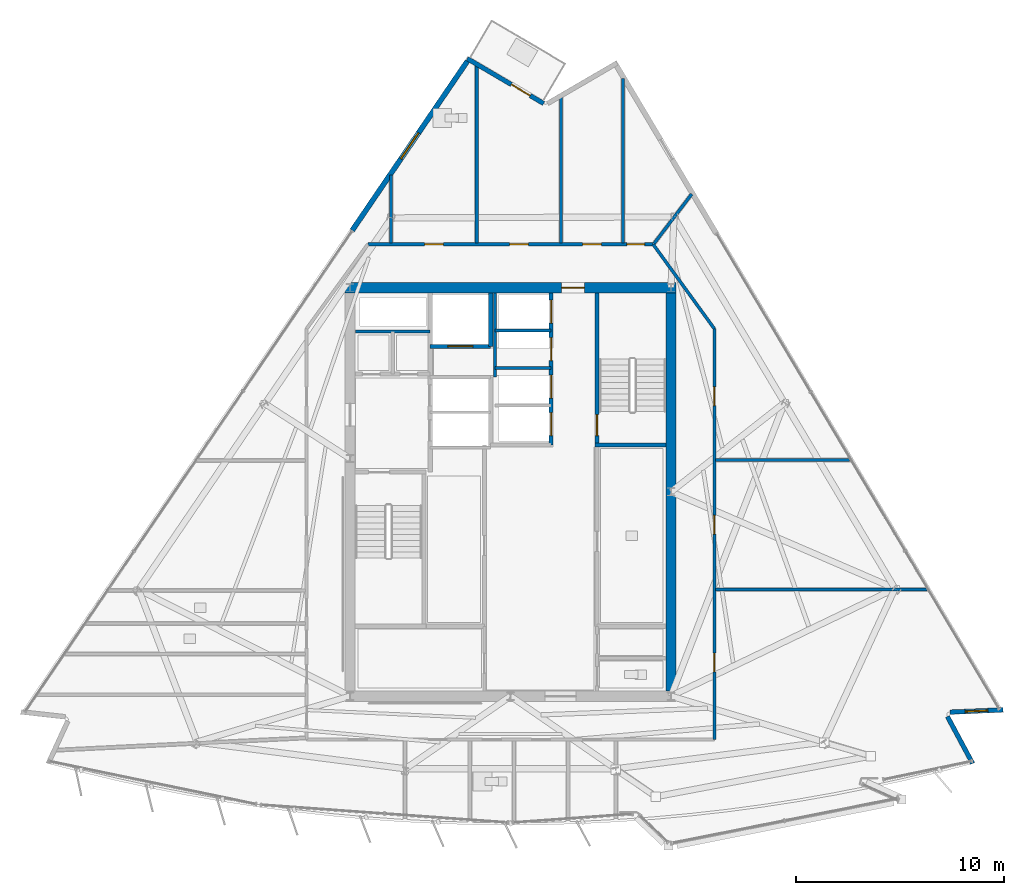
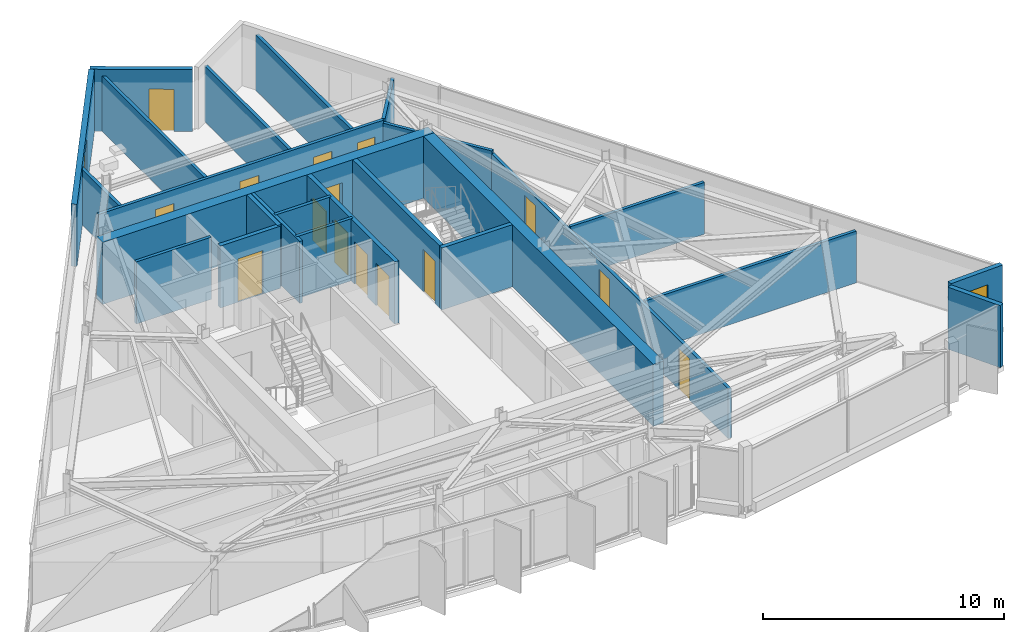
# One storey, part 8 of 13: 25 walls, 15 doors, 2 windows, 17 openings.
"""IFC4 building model written with IfcOpenShell, lengths in metres."""

import ifcopenshell
import ifcopenshell.guid

model = None  # the IFC model being written
_history = None  # IfcOwnerHistory: only IFC2X3 demands one
_inside = {}  # id of a spatial element -> (the spatial element, [elements in it])
_under = {}  # id of a project, library or spatial element -> (it, [spatial elements below it])
_declared = {}  # id of a project -> (the project, [libraries it declares])
_typed = {}  # id of a type object -> (the type object, [elements of that type])
_made_of = {}  # id of a material, layer set ... -> (it, [elements and type objects made of it])


def new_model(schema):
    """Start an empty IFC model of exactly this schema.

    Asked for "IFC4X3", IfcOpenShell would pick the latest addendum, in which some entities
    have other attributes; the version numbers below select the first issue.
    IFC2X3 requires an IfcOwnerHistory on every rooted entity: one is made here for all.
    """
    global model, _history
    if schema == "IFC4X3":
        model = ifcopenshell.file(schema_version=(4, 3, 0, 0))
    else:
        model = ifcopenshell.file(schema=schema)
    _inside.clear()
    _under.clear()
    _declared.clear()
    _typed.clear()
    _made_of.clear()
    _history = None
    if model.schema == "IFC2X3":
        org = make("IfcOrganization", Name="unknown")
        user = make(
            "IfcPersonAndOrganization",
            ThePerson=make("IfcPerson", FamilyName="unknown"),
            TheOrganization=org,
        )
        app = make(
            "IfcApplication",
            ApplicationDeveloper=org,
            Version="unknown",
            ApplicationFullName="unknown",
            ApplicationIdentifier="unknown",
        )
        _history = make(
            "IfcOwnerHistory",
            OwningUser=user,
            OwningApplication=app,
            ChangeAction="ADDED",
            CreationDate=0,
        )
    return model


def make(cls, **values):
    """One entity of the class cls with the attributes given. An attribute that is None is left unset."""
    return model.create_entity(
        cls, **{name: value for name, value in values.items() if value is not None}
    )


def rooted(cls, **values):
    """An entity with a GlobalId (a new one), such as an element, a storey or a relation."""
    return make(cls, GlobalId=ifcopenshell.guid.new(), OwnerHistory=_history, **values)


def si_unit(unit_type, name, prefix=None):
    """IfcSIUnit, for example si_unit("LENGTHUNIT", "METRE", prefix="MILLI")."""
    return make("IfcSIUnit", UnitType=unit_type, Prefix=prefix, Name=name)


def assignment(units):
    """IfcUnitAssignment: the units of a project."""
    return None if units is None else make("IfcUnitAssignment", Units=units)


def point(xyz):
    """IfcCartesianPoint."""
    return None if xyz is None else make("IfcCartesianPoint", Coordinates=xyz)


def direction(xyz):
    """IfcDirection."""
    return None if xyz is None else make("IfcDirection", DirectionRatios=xyz)


def frame(location, z_axis=None, x_axis=None):
    """IfcAxis2Placement3D, a coordinate frame: its origin and axes. An axis left out is left unset."""
    return make(
        "IfcAxis2Placement3D",
        Location=point(location),
        Axis=direction(z_axis),
        RefDirection=direction(x_axis),
    )


def frame_2d(location, x_axis=None):
    """IfcAxis2Placement2D, a coordinate frame in the plane: its origin and x axis."""
    return make(
        "IfcAxis2Placement2D", Location=point(location), RefDirection=direction(x_axis)
    )


def origin():
    """The frame at (0, 0, 0) with its axes left unset."""
    return frame((0.0, 0.0, 0.0))


def place(relative_to, where):
    """IfcLocalPlacement: puts the frame where relative to a parent placement (None: the world)."""
    return make(
        "IfcLocalPlacement", PlacementRelTo=relative_to, RelativePlacement=where
    )


def context(
    kind, dimensions, precision=None, world=None, true_north=None, identifier=None
):
    """IfcGeometricRepresentationContext, for example the 3D "Model" context."""
    return make(
        "IfcGeometricRepresentationContext",
        ContextIdentifier=identifier,
        ContextType=kind,
        CoordinateSpaceDimension=dimensions,
        Precision=precision,
        WorldCoordinateSystem=world,
        TrueNorth=true_north,
    )


def subcontext(parent, identifier, kind, view, scale=None):
    """IfcGeometricRepresentationSubContext, for example "Body" below "Model"."""
    return make(
        "IfcGeometricRepresentationSubContext",
        ContextIdentifier=identifier,
        ContextType=kind,
        ParentContext=parent,
        TargetScale=scale,
        TargetView=view,
    )


def project(units=None, contexts=None):
    """IfcProject with its units and contexts."""
    return rooted(
        "IfcProject",
        Name="project",
        RepresentationContexts=contexts,
        UnitsInContext=assignment(units),
    )


def spatial(cls, under=None, at=None, **own):
    """A site, building, storey or space (cls), placed at a placement, below another one or the project."""
    s = rooted(cls, ObjectPlacement=at, **own)
    if under is not None:
        _under.setdefault(under.id(), (under, []))[1].append(s)
    return s


def profile(cls, at=None, kind="AREA", **sizes):
    """A parametric profile (cls). Its sizes go by their IFC names, for example OverallWidth=200.0."""
    return make(cls, ProfileType=kind, Position=at, **sizes)


def rectangle(**sizes):
    """IfcRectangleProfileDef."""
    return profile("IfcRectangleProfileDef", **sizes)


def extrude(swept, where, along, depth):
    """IfcExtrudedAreaSolid: the profile swept, set in the frame where, extruded along a direction by depth."""
    return make(
        "IfcExtrudedAreaSolid",
        SweptArea=swept,
        Position=where,
        ExtrudedDirection=direction(along),
        Depth=depth,
    )


def shape(context_of_items, identifier, shape_type, items):
    """IfcShapeRepresentation: the items that make up one representation, for example the "Body"."""
    return make(
        "IfcShapeRepresentation",
        ContextOfItems=context_of_items,
        RepresentationIdentifier=identifier,
        RepresentationType=shape_type,
        Items=items,
    )


def material(Name=None, Category=None):
    """IfcMaterial."""
    return make("IfcMaterial", Name=Name, Category=Category)


def layer(
    of_material, thickness, ventilated=None, Name=None, Category=None, Priority=None
):
    """IfcMaterialLayer: one layer of a wall or slab, of a material (None: an air gap)."""
    return make(
        "IfcMaterialLayer",
        Material=of_material,
        LayerThickness=thickness,
        IsVentilated=ventilated,
        Name=Name,
        Category=Category,
        Priority=Priority,
    )


def layer_set(layers, Name=None):
    """IfcMaterialLayerSet."""
    return make("IfcMaterialLayerSet", MaterialLayers=layers, LayerSetName=Name)


def made_of(thing, what):
    """Note that an element or type object is made of a material, layer set ...; save() writes the relation."""
    if what is not None:
        _made_of.setdefault(what.id(), (what, []))[1].append(thing)
    return thing


def type_object(cls, material=None, **own):
    """A type object (cls), such as IfcWallType, which elements share."""
    return made_of(rooted(cls, **own), material)


def element(
    cls,
    number,
    at=None,
    inside=None,
    cuts=None,
    type_object=None,
    material=None,
    context=None,
    identifier="Body",
    shape_type=None,
    held_by="IfcProductDefinitionShape",
    body=None,
    shapes=None,
    **own,
):
    """One element of the class cls, such as IfcWall. Its Tag is "e" and its number.

    at: its placement. inside: the storey or other place that contains it. cuts: it is an
    opening in that element (IfcRelVoidsElement). A single representation is given by context,
    identifier, shape_type and body (its items); several are given by shapes. held_by: the class
    of the entity that holds the representations. save() writes the other relations.
    """
    e = rooted(cls, Tag="e%d" % number, ObjectPlacement=at, **own)
    if body is not None:
        shapes = [shape(context, identifier, shape_type, body)]
    if shapes is not None:
        e.Representation = make(held_by, Representations=shapes)
    if inside is not None:
        _inside.setdefault(inside.id(), (inside, []))[1].append(e)
    if cuts is not None:
        rooted(
            "IfcRelVoidsElement", RelatingBuildingElement=cuts, RelatedOpeningElement=e
        )
    if type_object is not None:
        _typed.setdefault(type_object.id(), (type_object, []))[1].append(e)
    return made_of(e, material)


def fill(opening, filler):
    """IfcRelFillsElement: the door or window that sits in an opening."""
    return rooted(
        "IfcRelFillsElement",
        RelatingOpeningElement=opening,
        RelatedBuildingElement=filler,
    )


def aggregate(whole, parts):
    """IfcRelAggregates: a whole, such as a stair, and the parts it consists of."""
    return rooted("IfcRelAggregates", RelatingObject=whole, RelatedObjects=parts)


def save(model, path):
    """Write the relations noted so far, then the file.

    IfcRelAggregates (storeys below a building ...), IfcRelContainedInSpatialStructure (elements
    in a storey), IfcRelDefinesByType, IfcRelAssociatesMaterial and IfcRelDeclares: one each for
    every whole, place, type object, material and project.
    """
    for whole, parts in _under.values():
        aggregate(whole, parts)
    for where, things in _inside.values():
        rooted(
            "IfcRelContainedInSpatialStructure",
            RelatedElements=things,
            RelatingStructure=where,
        )
    for kind, things in _typed.values():
        rooted("IfcRelDefinesByType", RelatedObjects=things, RelatingType=kind)
    for what, things in _made_of.values():
        rooted("IfcRelAssociatesMaterial", RelatedObjects=things, RelatingMaterial=what)
    for by, libraries in _declared.values():
        rooted("IfcRelDeclares", RelatingContext=by, RelatedDefinitions=libraries)
    model.write(path)


model = new_model("IFC4")

# Units and contexts
model_context = context("Model", 3, precision=1e-05, world=origin(), true_north=direction((0.0, 1.0)))
body_context = subcontext(model_context, "Body", "Model", "MODEL_VIEW")
ifc_project = project(units=[si_unit("LENGTHUNIT", "METRE"), si_unit("AREAUNIT", "SQUARE_METRE"), si_unit("VOLUMEUNIT", "CUBIC_METRE"), si_unit("PLANEANGLEUNIT", "RADIAN"), si_unit("MASSUNIT", "GRAM", prefix="KILO")], contexts=[model_context])

# Site, building, storey
site_placement = place(None, origin())
site = spatial("IfcSite", under=ifc_project, at=site_placement, CompositionType="ELEMENT")
building_placement = place(site_placement, origin())
building = spatial("IfcBuilding", under=site, at=building_placement, Name="Savorim Split Tower", CompositionType="ELEMENT")
storey_placement = place(building_placement, frame((0.0, 0.0, 290.39990234375)))
storey = spatial("IfcBuildingStorey", under=building, at=storey_placement, Name="L77", CompositionType="ELEMENT", Elevation=290.39990234375)

# Wall, opening, door
ifc_material_1 = material(Name="Concrete C60/75", Category="concrete")
ifc_layer_1 = layer(ifc_material_1, 0.5)
ifc_layer_set_1 = layer_set([ifc_layer_1], Name="WAL-COR-SH500")
wall_type_1 = type_object("IfcWallType", Name="WAL-COR-SH500", PredefinedType="SHEAR", material=ifc_layer_set_1)
wall_1_placement = place(storey_placement, frame((7.949951171875, 10.199951171875, 0.0), z_axis=(0.0, 0.0, 1.0), x_axis=(-1.0, 0.0, 0.0)))
wall_1 = element("IfcWall", 1, at=wall_1_placement, inside=storey, type_object=wall_type_1, Name="L77 Offset Core North Shear Wall", PredefinedType="SHEAR", context=body_context, shape_type="SweptSolid", body=[
    extrude(rectangle(XDim=15.89990234375, YDim=0.5, at=frame_2d((7.949951171875, 0.0))), origin(), (0.0, 0.0, 1.0), 3.150146484375),
])
opening_1_placement = place(wall_1_placement, frame((4.39990234375, 0.0, 0.0)))
opening_1 = element("IfcOpeningElement", 2, at=opening_1_placement, cuts=wall_1, Name="Opening DI-03", PredefinedType="OPENING", context=body_context, shape_type="SweptSolid", body=[
    extrude(rectangle(XDim=1.10009765625, YDim=2.14990234375, at=frame_2d((0.550048828125, 1.074951171875))), frame((0.0, 0.260009765625, 0.0), z_axis=(0.0, -1.0, 0.0), x_axis=(1.0, 0.0, 0.0)), (0.0, 0.0, 1.0), 0.52001953125),
])
ifc_material_2 = material(Name="Timber Fire Door Leaf", Category="wood")
door_type_1 = type_object("IfcDoorType", Name="DOR-FIR-1100", OperationType="NOTDEFINED", PredefinedType="DOOR", material=ifc_material_2)
door_1_placement = place(opening_1_placement, origin())
door_1 = element("IfcDoor", 3, at=door_1_placement, inside=storey, type_object=door_type_1, Name="DOR-L77-COR-NLOB - L77 North Corridor Lobby Fire Door", OperationType="SINGLE_SWING_RIGHT", OverallHeight=2.14990234375, OverallWidth=1.10009765625, PredefinedType="DOOR", context=body_context, shape_type="SweptSolid", body=[
    extrude(rectangle(XDim=1.10009765625, YDim=2.14990234375, at=frame_2d((0.550048828125, 1.074951171875))), frame((0.0, 0.02490234375, 0.0), z_axis=(0.0, -1.0, 0.0), x_axis=(1.0, 0.0, 0.0)), (0.0, 0.0, 1.0), 0.050048828125),
])
fill(opening_1, door_1)

# Walls
wall_2_placement = place(storey_placement, frame((7.699951171875, 9.949951171875, 0.0), z_axis=(0.0, 0.0, 1.0), x_axis=(0.0, -1.0, 0.0)))
element("IfcWall", 4, at=wall_2_placement, inside=storey, type_object=wall_type_1, Name="L77 Offset Core East Shear Wall", PredefinedType="SHEAR", context=body_context, shape_type="SweptSolid", body=[
    extrude(rectangle(XDim=19.099853515625, YDim=0.5, at=frame_2d((9.5498046875, 0.0))), origin(), (0.0, 0.0, 1.0), 3.150146484375),
])
ifc_material_3 = material(Name="Precast concrete C40/50", Category="concrete")
ifc_layer_2 = layer(ifc_material_3, 0.219970703125)
ifc_layer_set_2 = layer_set([ifc_layer_2], Name="WAL-EXT-CRN220")
wall_type_2 = type_object("IfcWallType", Name="WAL-EXT-CRN220", PredefinedType="SOLIDWALL", material=ifc_layer_set_2)
wall_3_placement = place(storey_placement, frame((20.9638671875, -10.380615234375, 0.0), z_axis=(0.0, 0.0, 1.0), x_axis=(0.472728849632, -0.881207940685, 0.0)))
element("IfcWall", 5, at=wall_3_placement, inside=storey, type_object=wall_type_2, Name="L77 Notched Corner Facade Wall SE1", PredefinedType="SOLIDWALL", context=body_context, shape_type="SweptSolid", body=[
    extrude(rectangle(XDim=2.5498046875, YDim=0.219970703125, at=frame_2d((1.27490234375, 0.0))), origin(), (0.0, 0.0, 1.0), 3.150146484375),
])

# Wall, opening, window
wall_4_placement = place(storey_placement, frame((23.630615234375, -10.058837890625, 0.0), z_axis=(0.0, 0.0, 1.0), x_axis=(-0.999098350703, -0.042455690107, 0.0)))
wall_4 = element("IfcWall", 6, at=wall_4_placement, inside=storey, type_object=wall_type_2, Name="L77 Notched Corner Facade Wall SE", PredefinedType="SOLIDWALL", context=body_context, shape_type="SweptSolid", body=[
    extrude(rectangle(XDim=2.54736328125, YDim=0.219970703125, at=frame_2d((1.273681640625, 0.0))), origin(), (0.0, 0.0, 1.0), 3.150146484375),
])
opening_2_placement = place(wall_4_placement, frame((0.7236328125, 0.0, 0.6201171875)))
opening_2 = element("IfcOpeningElement", 7, at=opening_2_placement, cuts=wall_4, Name="Opening WN-09", PredefinedType="OPENING", context=body_context, shape_type="SweptSolid", body=[
    extrude(rectangle(XDim=1.10009765625, YDim=1.800048828125, at=frame_2d((0.550048828125, 0.89990234375))), frame((0.0, 0.119873046875, 0.0), z_axis=(0.0, -1.0, 0.0), x_axis=(1.0, 0.0, 0.0)), (0.0, 0.0, 1.0), 0.239990234375),
])
ifc_material_4 = material(Name="Low-E Operable Double Glazing", Category="glass")
window_type_1 = type_object("IfcWindowType", Name="WIN-TWR-1100x1800", PartitioningType="SINGLE_PANEL", PredefinedType="WINDOW", material=ifc_material_4)
window_1_placement = place(opening_2_placement, origin())
window_1 = element("IfcWindow", 8, at=window_1_placement, inside=storey, type_object=window_type_1, Name="L77 Operable Corner Window SE", OverallHeight=1.800048828125, OverallWidth=1.10009765625, PartitioningType="SINGLE_PANEL", PredefinedType="WINDOW", context=body_context, shape_type="SweptSolid", body=[
    extrude(rectangle(XDim=1.10009765625, YDim=1.800048828125, at=frame_2d((0.550048828125, 0.89990234375))), frame((0.0, 0.030029296875, 0.0), z_axis=(0.0, -1.0, 0.0), x_axis=(1.0, 0.0, 0.0)), (0.0, 0.0, 1.0), 0.06005859375),
])
fill(opening_2, window_1)

# Wall, opening, door
wall_5_placement = place(storey_placement, frame((-2.073974609375, 21.186279296875, 0.0), z_axis=(0.0, 0.0, 1.0), x_axis=(0.862137800155, -0.506673872964, 0.0)))
wall_5 = element("IfcWall", 9, at=wall_5_placement, inside=storey, type_object=wall_type_2, Name="L77 Notched Corner Facade Wall N", PredefinedType="SOLIDWALL", context=body_context, shape_type="SweptSolid", body=[
    extrude(rectangle(XDim=4.252685546875, YDim=0.219970703125, at=frame_2d((2.12646484375, 0.0))), origin(), (0.0, 0.0, 1.0), 3.150146484375),
])
opening_3_placement = place(wall_5_placement, frame((2.451416015625, 0.0, 0.0)))
opening_3 = element("IfcOpeningElement", 10, at=opening_3_placement, cuts=wall_5, Name="Opening DB-01", PredefinedType="OPENING", context=body_context, shape_type="SweptSolid", body=[
    extrude(rectangle(XDim=1.050048828125, YDim=2.14990234375, at=frame_2d((0.52490234375, 1.074951171875))), frame((0.0, 0.119873046875, 0.0), z_axis=(0.0, -1.0, 0.0), x_axis=(1.0, 0.0, 0.0)), (0.0, 0.0, 1.0), 0.239990234375),
])
ifc_material_5 = material(Name="Charcoal Anodised Aluminium", Category="aluminium")
door_type_2 = type_object("IfcDoorType", Name="DOR-BAL-1050", OperationType="NOTDEFINED", PredefinedType="DOOR", material=ifc_material_5)
door_2_placement = place(opening_3_placement, origin())
door_2 = element("IfcDoor", 11, at=door_2_placement, inside=storey, type_object=door_type_2, Name="DOR-L77-TBAL-N - L77 Planted Tree Balcony Door N", OperationType="SINGLE_SWING_RIGHT", OverallHeight=2.14990234375, OverallWidth=1.050048828125, PredefinedType="DOOR", context=body_context, shape_type="SweptSolid", body=[
    extrude(rectangle(XDim=1.050048828125, YDim=2.14990234375, at=frame_2d((0.52490234375, 1.074951171875))), frame((0.0, 0.02490234375, 0.0), z_axis=(0.0, -1.0, 0.0), x_axis=(1.0, 0.0, 0.0)), (0.0, 0.0, 1.0), 0.050048828125),
])
fill(opening_3, door_2)

# Wall, opening, window
ifc_layer_3 = layer(ifc_material_3, 0.25)
ifc_layer_set_3 = layer_set([ifc_layer_3], Name="WAL-EXT-SPN250")
wall_type_3 = type_object("IfcWallType", Name="WAL-EXT-SPN250", PredefinedType="SOLIDWALL", material=ifc_layer_set_3)
wall_6_placement = place(storey_placement, frame((-7.59326171875, 12.944580078125, 0.0), z_axis=(0.0, 0.0, 1.0), x_axis=(0.562476003565, 0.826813609838, 0.0)))
wall_6 = element("IfcWall", 12, at=wall_6_placement, inside=storey, type_object=wall_type_3, Name="L77 West Operable Window Pier", PredefinedType="SOLIDWALL", context=body_context, shape_type="SweptSolid", body=[
    extrude(rectangle(XDim=9.81591796875, YDim=0.25, at=frame_2d((4.907958984375, 0.0))), origin(), (0.0, 0.0, 1.0), 3.150146484375),
])
opening_4_placement = place(wall_6_placement, frame((4.157958984375, 0.0, 0.6201171875)))
opening_4 = element("IfcOpeningElement", 13, at=opening_4_placement, cuts=wall_6, Name="Opening WN-06", PredefinedType="OPENING", context=body_context, shape_type="SweptSolid", body=[
    extrude(rectangle(XDim=1.5, YDim=2.0, at=frame_2d((0.75, 1.0))), frame((0.0, 0.135009765625, 0.0), z_axis=(0.0, -1.0, 0.0), x_axis=(1.0, 0.0, 0.0)), (0.0, 0.0, 1.0), 0.27001953125),
])
window_type_2 = type_object("IfcWindowType", Name="WIN-TWR-1500x2000", PartitioningType="SINGLE_PANEL", PredefinedType="WINDOW", material=ifc_material_4)
window_2_placement = place(opening_4_placement, origin())
window_2 = element("IfcWindow", 14, at=window_2_placement, inside=storey, type_object=window_type_2, Name="L77 West Operable Ventilation Window", OverallHeight=2.0, OverallWidth=1.5, PartitioningType="SINGLE_PANEL", PredefinedType="WINDOW", context=body_context, shape_type="SweptSolid", body=[
    extrude(rectangle(XDim=1.5, YDim=2.0, at=frame_2d((0.75, 1.0))), frame((0.0, 0.030029296875, 0.0), z_axis=(0.0, -1.0, 0.0), x_axis=(1.0, 0.0, 0.0)), (0.0, 0.0, 1.0), 0.06005859375),
])
fill(opening_4, window_2)

# Wall, opening, door
ifc_material_6 = material(Name="Concrete C50/60", Category="concrete")
ifc_layer_4 = layer(ifc_material_6, 0.199951171875)
ifc_layer_set_4 = layer_set([ifc_layer_4], Name="WAL-INT-RC200")
wall_type_4 = type_object("IfcWallType", Name="WAL-INT-RC200", PredefinedType="SOLIDWALL", material=ifc_layer_set_4)
wall_7_placement = place(storey_placement, frame((4.14990234375, 2.75, 0.0), z_axis=(0.0, 0.0, 1.0), x_axis=(0.0, 1.0, 0.0)))
wall_7 = element("IfcWall", 15, at=wall_7_placement, inside=storey, type_object=wall_type_4, Name="L77 Structural Shaft Wall W-L77-CR07", PredefinedType="SOLIDWALL", context=body_context, shape_type="SweptSolid", body=[
    extrude(rectangle(XDim=7.199951171875, YDim=0.199951171875, at=frame_2d((3.60009765625, 0.0))), origin(), (0.0, 0.0, 1.0), 3.150146484375),
])
opening_5_placement = place(wall_7_placement, frame((0.35009765625, 0.0, 0.0)))
opening_5 = element("IfcOpeningElement", 16, at=opening_5_placement, cuts=wall_7, Name="Opening DI-04", PredefinedType="OPENING", context=body_context, shape_type="SweptSolid", body=[
    extrude(rectangle(XDim=1.0, YDim=2.14990234375, at=frame_2d((0.5, 1.074951171875))), frame((0.0, 0.10986328125, 0.0), z_axis=(0.0, -1.0, 0.0), x_axis=(1.0, 0.0, 0.0)), (0.0, 0.0, 1.0), 0.219970703125),
])
door_type_3 = type_object("IfcDoorType", Name="DOR-FIR-1000", OperationType="NOTDEFINED", PredefinedType="DOOR", material=ifc_material_2)
door_3_placement = place(opening_5_placement, origin())
door_3 = element("IfcDoor", 17, at=door_3_placement, inside=storey, type_object=door_type_3, Name="DR-L77-ST2 - L77 Stair ST-2 Enclosure Door", OperationType="SINGLE_SWING_RIGHT", OverallHeight=2.14990234375, OverallWidth=1.0, PredefinedType="DOOR", context=body_context, shape_type="SweptSolid", body=[
    extrude(rectangle(XDim=1.0, YDim=2.14990234375, at=frame_2d((0.5, 1.074951171875))), frame((0.0, 0.02490234375, 0.0), z_axis=(0.0, -1.0, 0.0), x_axis=(1.0, 0.0, 0.0)), (0.0, 0.0, 1.0), 0.050048828125),
])
fill(opening_5, door_3)

# Wall
wall_8_placement = place(storey_placement, frame((4.050048828125, 2.64990234375, 0.0), z_axis=(0.0, 0.0, 1.0), x_axis=(1.0, 0.0, 0.0)))
element("IfcWall", 18, at=wall_8_placement, inside=storey, type_object=wall_type_4, Name="L77 Structural Shaft Wall W-L77-CR08", PredefinedType="SOLIDWALL", context=body_context, shape_type="SweptSolid", body=[
    extrude(rectangle(XDim=3.39990234375, YDim=0.199951171875, at=frame_2d((1.699951171875, 0.0))), origin(), (0.0, 0.0, 1.0), 3.150146484375),
])

# Wall, opening, door
wall_9_placement = place(storey_placement, frame((-3.85009765625, 7.3798828125, 0.0), z_axis=(0.0, 0.0, 1.0), x_axis=(1.0, 0.0, 0.0)))
wall_9 = element("IfcWall", 19, at=wall_9_placement, inside=storey, type_object=wall_type_4, Name="L77 Partition W-L77-SVLS", PredefinedType="SOLIDWALL", context=body_context, shape_type="SweptSolid", body=[
    extrude(rectangle(XDim=2.900146484375, YDim=0.199951171875, at=frame_2d((1.4501953125, 0.0))), origin(), (0.0, 0.0, 1.0), 3.150146484375),
])
opening_6_placement = place(wall_9_placement, frame((0.85009765625, 0.0, 0.0)))
opening_6 = element("IfcOpeningElement", 20, at=opening_6_placement, cuts=wall_9, Name="Opening LD-SV", PredefinedType="OPENING", context=body_context, shape_type="SweptSolid", body=[
    extrude(rectangle(XDim=1.199951171875, YDim=2.199951171875, at=frame_2d((0.60009765625, 1.10009765625))), frame((0.0, 0.10986328125, 0.0), z_axis=(0.0, -1.0, 0.0), x_axis=(1.0, 0.0, 0.0)), (0.0, 0.0, 1.0), 0.219970703125),
])
door_type_4 = type_object("IfcDoorType", Name="DOR-SLD-SV1200", OperationType="NOTDEFINED", PredefinedType="DOOR", material=ifc_material_5)
door_4_placement = place(opening_6_placement, origin())
door_4 = element("IfcDoor", 21, at=door_4_placement, inside=storey, type_object=door_type_4, Name="DR-L77-LD-SVL1 - L77 Service Lift SVL-1 Sliding Landing Door", OperationType="DOUBLE_DOOR_SLIDING", OverallHeight=2.199951171875, OverallWidth=1.199951171875, PredefinedType="DOOR", context=body_context, shape_type="SweptSolid", body=[
    extrude(rectangle(XDim=1.199951171875, YDim=2.199951171875, at=frame_2d((0.60009765625, 1.10009765625))), frame((0.0, 0.02490234375, 0.0), z_axis=(0.0, -1.0, 0.0), x_axis=(1.0, 0.0, 0.0)), (0.0, 0.0, 1.0), 0.050048828125),
])
fill(opening_6, door_4)

# Wall
wall_10_placement = place(storey_placement, frame((-0.949951171875, 7.3798828125, 0.0), z_axis=(0.0, 0.0, 1.0), x_axis=(0.0, 1.0, 0.0)))
element("IfcWall", 22, at=wall_10_placement, inside=storey, type_object=wall_type_4, Name="L77 Partition W-L77-SVLE", PredefinedType="SOLIDWALL", context=body_context, shape_type="SweptSolid", body=[
    extrude(rectangle(XDim=2.565185546875, YDim=0.199951171875, at=frame_2d((1.28271484375, 0.0))), origin(), (0.0, 0.0, 1.0), 3.150146484375),
])

# Wall, openings, doors
wall_11_placement = place(storey_placement, frame((1.949951171875, 2.64990234375, 0.0), z_axis=(0.0, 0.0, 1.0), x_axis=(0.0, 1.0, 0.0)))
wall_11 = element("IfcWall", 23, at=wall_11_placement, inside=storey, type_object=wall_type_4, Name="L77 Partition W-L77-B3FRONT", PredefinedType="SOLIDWALL", context=body_context, shape_type="SweptSolid", body=[
    extrude(rectangle(XDim=7.295166015625, YDim=0.199951171875, at=frame_2d((3.6474609375, 0.0))), origin(), (0.0, 0.0, 1.0), 3.150146484375),
])
opening_7_placement = place(wall_11_placement, frame((0.449951171875, 0.0, 0.0)))
opening_7 = element("IfcOpeningElement", 24, at=opening_7_placement, cuts=wall_11, Name="Opening LD-03", PredefinedType="OPENING", context=body_context, shape_type="SweptSolid", body=[
    extrude(rectangle(XDim=1.10009765625, YDim=2.14990234375, at=frame_2d((0.550048828125, 1.074951171875))), frame((0.0, 0.10986328125, 0.0), z_axis=(0.0, -1.0, 0.0), x_axis=(1.0, 0.0, 0.0)), (0.0, 0.0, 1.0), 0.219970703125),
])
opening_8_placement = place(wall_11_placement, frame((2.25, 0.0, 0.0)))
opening_8 = element("IfcOpeningElement", 25, at=opening_8_placement, cuts=wall_11, Name="Opening LD-03", PredefinedType="OPENING", context=body_context, shape_type="SweptSolid", body=[
    extrude(rectangle(XDim=1.10009765625, YDim=2.14990234375, at=frame_2d((0.550048828125, 1.074951171875))), frame((0.0, 0.10986328125, 0.0), z_axis=(0.0, -1.0, 0.0), x_axis=(1.0, 0.0, 0.0)), (0.0, 0.0, 1.0), 0.219970703125),
])
opening_9_placement = place(wall_11_placement, frame((4.050048828125, 0.0, 0.0)))
opening_9 = element("IfcOpeningElement", 26, at=opening_9_placement, cuts=wall_11, Name="Opening LD-03", PredefinedType="OPENING", context=body_context, shape_type="SweptSolid", body=[
    extrude(rectangle(XDim=1.10009765625, YDim=2.14990234375, at=frame_2d((0.550048828125, 1.074951171875))), frame((0.0, 0.10986328125, 0.0), z_axis=(0.0, -1.0, 0.0), x_axis=(1.0, 0.0, 0.0)), (0.0, 0.0, 1.0), 0.219970703125),
])
opening_10_placement = place(wall_11_placement, frame((5.85009765625, 0.0, 0.0)))
opening_10 = element("IfcOpeningElement", 27, at=opening_10_placement, cuts=wall_11, Name="Opening LD-03", PredefinedType="OPENING", context=body_context, shape_type="SweptSolid", body=[
    extrude(rectangle(XDim=1.10009765625, YDim=2.14990234375, at=frame_2d((0.550048828125, 1.074951171875))), frame((0.0, 0.10986328125, 0.0), z_axis=(0.0, -1.0, 0.0), x_axis=(1.0, 0.0, 0.0)), (0.0, 0.0, 1.0), 0.219970703125),
])
door_type_5 = type_object("IfcDoorType", Name="DOR-SLD-LDH1100", OperationType="NOTDEFINED", PredefinedType="DOOR", material=ifc_material_5)
door_5_placement = place(opening_7_placement, origin())
door_5 = element("IfcDoor", 28, at=door_5_placement, inside=storey, type_object=door_type_5, Name="DR-L77-LD-PLH1 - L77 Lift PL-H1 Sliding Landing Door", OperationType="DOUBLE_DOOR_SLIDING", OverallHeight=2.14990234375, OverallWidth=1.10009765625, PredefinedType="DOOR", context=body_context, shape_type="SweptSolid", body=[
    extrude(rectangle(XDim=1.10009765625, YDim=2.14990234375, at=frame_2d((0.550048828125, 1.074951171875))), frame((0.0, 0.02490234375, 0.0), z_axis=(0.0, -1.0, 0.0), x_axis=(1.0, 0.0, 0.0)), (0.0, 0.0, 1.0), 0.050048828125),
])
fill(opening_7, door_5)
door_6_placement = place(opening_8_placement, origin())
door_6 = element("IfcDoor", 29, at=door_6_placement, inside=storey, type_object=door_type_5, Name="DR-L77-LD-PLH2 - L77 Lift PL-H2 Sliding Landing Door", OperationType="DOUBLE_DOOR_SLIDING", OverallHeight=2.14990234375, OverallWidth=1.10009765625, PredefinedType="DOOR", context=body_context, shape_type="SweptSolid", body=[
    extrude(rectangle(XDim=1.10009765625, YDim=2.14990234375, at=frame_2d((0.550048828125, 1.074951171875))), frame((0.0, 0.02490234375, 0.0), z_axis=(0.0, -1.0, 0.0), x_axis=(1.0, 0.0, 0.0)), (0.0, 0.0, 1.0), 0.050048828125),
])
fill(opening_8, door_6)
door_7_placement = place(opening_9_placement, origin())
door_7 = element("IfcDoor", 30, at=door_7_placement, inside=storey, type_object=door_type_5, Name="DR-L77-LD-PLH3 - L77 Lift PL-H3 Sliding Landing Door", OperationType="DOUBLE_DOOR_SLIDING", OverallHeight=2.14990234375, OverallWidth=1.10009765625, PredefinedType="DOOR", context=body_context, shape_type="SweptSolid", body=[
    extrude(rectangle(XDim=1.10009765625, YDim=2.14990234375, at=frame_2d((0.550048828125, 1.074951171875))), frame((0.0, 0.02490234375, 0.0), z_axis=(0.0, -1.0, 0.0), x_axis=(1.0, 0.0, 0.0)), (0.0, 0.0, 1.0), 0.050048828125),
])
fill(opening_9, door_7)
door_8_placement = place(opening_10_placement, origin())
door_8 = element("IfcDoor", 31, at=door_8_placement, inside=storey, type_object=door_type_5, Name="DR-L77-LD-PLH4 - L77 Lift PL-H4 Sliding Landing Door", OperationType="DOUBLE_DOOR_SLIDING", OverallHeight=2.14990234375, OverallWidth=1.10009765625, PredefinedType="DOOR", context=body_context, shape_type="SweptSolid", body=[
    extrude(rectangle(XDim=1.10009765625, YDim=2.14990234375, at=frame_2d((0.550048828125, 1.074951171875))), frame((0.0, 0.02490234375, 0.0), z_axis=(0.0, -1.0, 0.0), x_axis=(1.0, 0.0, 0.0)), (0.0, 0.0, 1.0), 0.050048828125),
])
fill(opening_10, door_8)

# Walls
ifc_material_7 = material(Name="Acoustic Gypsum Partition Board")
ifc_layer_5 = layer(ifc_material_7, 0.14990234375)
ifc_layer_set_5 = layer_set([ifc_layer_5], Name="WAL-PAR-150")
wall_type_5 = type_object("IfcWallType", Name="WAL-PAR-150", PredefinedType="PARTITIONING", material=ifc_layer_set_5)
wall_12_placement = place(storey_placement, frame((-7.445068359375, 8.10009765625, 0.0), z_axis=(0.0, 0.0, 1.0), x_axis=(1.0, 0.0, 0.0)))
element("IfcWall", 32, at=wall_12_placement, inside=storey, type_object=wall_type_5, Name="L77 Partition W-L77-CR05", PredefinedType="PARTITIONING", context=body_context, shape_type="SweptSolid", body=[
    extrude(rectangle(XDim=3.594970703125, YDim=0.14990234375, at=frame_2d((1.79736328125, 0.0))), origin(), (0.0, 0.0, 1.0), 3.150146484375),
])
wall_13_placement = place(storey_placement, frame((-0.75, 5.919921875, 0.0), z_axis=(0.0, 0.0, 1.0), x_axis=(0.0, 1.0, 0.0)))
element("IfcWall", 33, at=wall_13_placement, inside=storey, type_object=wall_type_5, Name="L77 Partition W-L77-B3WEST", PredefinedType="PARTITIONING", context=body_context, shape_type="SweptSolid", body=[
    extrude(rectangle(XDim=4.025146484375, YDim=0.14990234375, at=frame_2d((2.0126953125, 0.0))), origin(), (0.0, 0.0, 1.0), 3.150146484375),
])
for number, where, z_axis, x_axis, name in (
    (34, (-0.75, 6.35009765625, 0.0), (0.0, 0.0, 1.0), (1.0, 0.0, 0.0), "L77 Partition W-L77-B3DIV2"),
    (35, (-0.75, 8.14990234375, 0.0), (0.0, 0.0, 1.0), (1.0, 0.0, 0.0), "L77 Partition W-L77-B3DIV3"),
):
    element("IfcWall", number, at=place(storey_placement, frame(where, z_axis=z_axis, x_axis=x_axis)), inside=storey, type_object=wall_type_5, Name=name, PredefinedType="PARTITIONING", context=body_context, shape_type="SweptSolid", body=[
        extrude(rectangle(XDim=2.699951171875, YDim=0.14990234375, at=frame_2d((1.35009765625, 0.0))), origin(), (0.0, 0.0, 1.0), 3.150146484375),
    ])

# Wall, openings, doors
wall_14_placement = place(storey_placement, frame((-6.8408203125, 12.280029296875, 0.0), z_axis=(0.0, 0.0, 1.0), x_axis=(1.0, 0.0, 0.0)))
wall_14 = element("IfcWall", 36, at=wall_14_placement, inside=storey, type_object=wall_type_5, Name="L77 Partition W-L77-COR-03", PredefinedType="PARTITIONING", context=body_context, shape_type="SweptSolid", body=[
    extrude(rectangle(XDim=13.681640625, YDim=0.14990234375, at=frame_2d((6.8408203125, 0.0))), origin(), (0.0, 0.0, 1.0), 2.815185546875),
])
opening_11_placement = place(wall_14_placement, frame((12.42236328125, 0.0, 0.0)))
opening_11 = element("IfcOpeningElement", 37, at=opening_11_placement, cuts=wall_14, Name="Opening DI-13", PredefinedType="OPENING", context=body_context, shape_type="SweptSolid", body=[
    extrude(rectangle(XDim=0.85009765625, YDim=2.10009765625, at=frame_2d((0.425048828125, 1.050048828125))), frame((0.0, 0.0849609375, 0.0), z_axis=(0.0, -1.0, 0.0), x_axis=(1.0, 0.0, 0.0)), (0.0, 0.0, 1.0), 0.169921875),
])
opening_12_placement = place(wall_14_placement, frame((10.30517578125, 0.0, 0.0)))
opening_12 = element("IfcOpeningElement", 38, at=opening_12_placement, cuts=wall_14, Name="Opening DI-06", PredefinedType="OPENING", context=body_context, shape_type="SweptSolid", body=[
    extrude(rectangle(XDim=0.89990234375, YDim=2.10009765625, at=frame_2d((0.449951171875, 1.050048828125))), frame((0.0, 0.0849609375, 0.0), z_axis=(0.0, -1.0, 0.0), x_axis=(1.0, 0.0, 0.0)), (0.0, 0.0, 1.0), 0.169921875),
])
opening_13_placement = place(wall_14_placement, frame((6.79443359375, 0.0, 0.0)))
opening_13 = element("IfcOpeningElement", 39, at=opening_13_placement, cuts=wall_14, Name="Opening DI-06", PredefinedType="OPENING", context=body_context, shape_type="SweptSolid", body=[
    extrude(rectangle(XDim=0.89990234375, YDim=2.10009765625, at=frame_2d((0.449951171875, 1.050048828125))), frame((0.0, 0.0849609375, 0.0), z_axis=(0.0, -1.0, 0.0), x_axis=(1.0, 0.0, 0.0)), (0.0, 0.0, 1.0), 0.169921875),
])
opening_14_placement = place(wall_14_placement, frame((2.71728515625, 0.0, 0.0)))
opening_14 = element("IfcOpeningElement", 40, at=opening_14_placement, cuts=wall_14, Name="Opening DI-11", PredefinedType="OPENING", context=body_context, shape_type="SweptSolid", body=[
    extrude(rectangle(XDim=0.89990234375, YDim=2.10009765625, at=frame_2d((0.449951171875, 1.050048828125))), frame((0.0, 0.0849609375, 0.0), z_axis=(0.0, -1.0, 0.0), x_axis=(1.0, 0.0, 0.0)), (0.0, 0.0, 1.0), 0.169921875),
])
door_type_6 = type_object("IfcDoorType", Name="DOR-FIR-850", OperationType="NOTDEFINED", PredefinedType="DOOR", material=ifc_material_2)
door_9_placement = place(opening_11_placement, origin())
door_9 = element("IfcDoor", 41, at=door_9_placement, inside=storey, type_object=door_type_6, Name="DR-L77-RM14 - L77 Quiet Study Room Entry Door", OperationType="SINGLE_SWING_LEFT", OverallHeight=2.10009765625, OverallWidth=0.85009765625, PredefinedType="DOOR", context=body_context, shape_type="SweptSolid", body=[
    extrude(rectangle(XDim=0.85009765625, YDim=2.10009765625, at=frame_2d((0.425048828125, 1.050048828125))), frame((0.0, 0.02490234375, 0.0), z_axis=(0.0, -1.0, 0.0), x_axis=(1.0, 0.0, 0.0)), (0.0, 0.0, 1.0), 0.050048828125),
])
fill(opening_11, door_9)
door_type_7 = type_object("IfcDoorType", Name="DOR-FIR-900", OperationType="NOTDEFINED", PredefinedType="DOOR", material=ifc_material_2)
door_10_placement = place(opening_12_placement, origin())
door_10 = element("IfcDoor", 42, at=door_10_placement, inside=storey, type_object=door_type_7, Name="DR-L77-RM15 - L77 Quiet Study Room Entry Door", OperationType="SINGLE_SWING_RIGHT", OverallHeight=2.10009765625, OverallWidth=0.89990234375, PredefinedType="DOOR", context=body_context, shape_type="SweptSolid", body=[
    extrude(rectangle(XDim=0.89990234375, YDim=2.10009765625, at=frame_2d((0.449951171875, 1.050048828125))), frame((0.0, 0.02490234375, 0.0), z_axis=(0.0, -1.0, 0.0), x_axis=(1.0, 0.0, 0.0)), (0.0, 0.0, 1.0), 0.050048828125),
])
fill(opening_12, door_10)
door_11_placement = place(opening_13_placement, origin())
door_11 = element("IfcDoor", 43, at=door_11_placement, inside=storey, type_object=door_type_7, Name="DR-L77-RM16 - L77 Quiet Study Room Entry Door", OperationType="SINGLE_SWING_LEFT", OverallHeight=2.10009765625, OverallWidth=0.89990234375, PredefinedType="DOOR", context=body_context, shape_type="SweptSolid", body=[
    extrude(rectangle(XDim=0.89990234375, YDim=2.10009765625, at=frame_2d((0.449951171875, 1.050048828125))), frame((0.0, 0.02490234375, 0.0), z_axis=(0.0, -1.0, 0.0), x_axis=(1.0, 0.0, 0.0)), (0.0, 0.0, 1.0), 0.050048828125),
])
fill(opening_13, door_11)
ifc_material_8 = material(Name="Oak Veneer Acoustic Door")
door_type_8 = type_object("IfcDoorType", Name="DOR-WC-900", OperationType="NOTDEFINED", PredefinedType="DOOR", material=ifc_material_8)
door_12_placement = place(opening_14_placement, origin())
door_12 = element("IfcDoor", 44, at=door_12_placement, inside=storey, type_object=door_type_8, Name="DR-L77-RM17 - L77 Shared Bathroom Entry Door", OperationType="SINGLE_SWING_RIGHT", OverallHeight=2.10009765625, OverallWidth=0.89990234375, PredefinedType="DOOR", context=body_context, shape_type="SweptSolid", body=[
    extrude(rectangle(XDim=0.89990234375, YDim=2.10009765625, at=frame_2d((0.449951171875, 1.050048828125))), frame((0.0, 0.02490234375, 0.0), z_axis=(0.0, -1.0, 0.0), x_axis=(1.0, 0.0, 0.0)), (0.0, 0.0, 1.0), 0.050048828125),
])
fill(opening_14, door_12)

# Wall
wall_15_placement = place(storey_placement, frame((6.8408203125, 12.280029296875, 0.0), z_axis=(0.0, 0.0, 1.0), x_axis=(0.586956386413, -0.809618552436, 0.0)))
element("IfcWall", 45, at=wall_15_placement, inside=storey, type_object=wall_type_5, Name="L77 Partition W-L77-COR-04", PredefinedType="PARTITIONING", context=body_context, shape_type="SweptSolid", body=[
    extrude(rectangle(XDim=5.007568359375, YDim=0.14990234375, at=frame_2d((2.50390625, 0.0))), origin(), (0.0, 0.0, 1.0), 2.675048828125),
])

# Wall, openings, doors
wall_16_placement = place(storey_placement, frame((9.780029296875, 8.225830078125, 0.0), z_axis=(0.0, 0.0, 1.0), x_axis=(0.0, -1.0, 0.0)))
wall_16 = element("IfcWall", 46, at=wall_16_placement, inside=storey, type_object=wall_type_5, Name="L77 Partition W-L77-COR-05", PredefinedType="PARTITIONING", context=body_context, shape_type="SweptSolid", body=[
    extrude(rectangle(XDim=19.705810546875, YDim=0.14990234375, at=frame_2d((9.85302734375, 0.0))), origin(), (0.0, 0.0, 1.0), 2.525146484375),
])
opening_15_placement = place(wall_16_placement, frame((15.566162109375, 0.0, 0.0)))
opening_15 = element("IfcOpeningElement", 47, at=opening_15_placement, cuts=wall_16, Name="Opening DI-06", PredefinedType="OPENING", context=body_context, shape_type="SweptSolid", body=[
    extrude(rectangle(XDim=0.89990234375, YDim=2.10009765625, at=frame_2d((0.449951171875, 1.050048828125))), frame((0.0, 0.0849609375, 0.0), z_axis=(0.0, -1.0, 0.0), x_axis=(1.0, 0.0, 0.0)), (0.0, 0.0, 1.0), 0.169921875),
])
opening_16_placement = place(wall_16_placement, frame((8.94775390625, 0.0, 0.0)))
opening_16 = element("IfcOpeningElement", 48, at=opening_16_placement, cuts=wall_16, Name="Opening DI-06", PredefinedType="OPENING", context=body_context, shape_type="SweptSolid", body=[
    extrude(rectangle(XDim=0.89990234375, YDim=2.10009765625, at=frame_2d((0.449951171875, 1.050048828125))), frame((0.0, 0.0849609375, 0.0), z_axis=(0.0, -1.0, 0.0), x_axis=(1.0, 0.0, 0.0)), (0.0, 0.0, 1.0), 0.169921875),
])
opening_17_placement = place(wall_16_placement, frame((2.78466796875, 0.0, 0.0)))
opening_17 = element("IfcOpeningElement", 49, at=opening_17_placement, cuts=wall_16, Name="Opening DI-06", PredefinedType="OPENING", context=body_context, shape_type="SweptSolid", body=[
    extrude(rectangle(XDim=0.89990234375, YDim=2.10009765625, at=frame_2d((0.449951171875, 1.050048828125))), frame((0.0, 0.0849609375, 0.0), z_axis=(0.0, -1.0, 0.0), x_axis=(1.0, 0.0, 0.0)), (0.0, 0.0, 1.0), 0.169921875),
])
door_13_placement = place(opening_15_placement, origin())
door_13 = element("IfcDoor", 50, at=door_13_placement, inside=storey, type_object=door_type_7, Name="DR-L77-RM11 - L77 Maker Workshop Entry Door", OperationType="SINGLE_SWING_RIGHT", OverallHeight=2.10009765625, OverallWidth=0.89990234375, PredefinedType="DOOR", context=body_context, shape_type="SweptSolid", body=[
    extrude(rectangle(XDim=0.89990234375, YDim=2.10009765625, at=frame_2d((0.449951171875, 1.050048828125))), frame((0.0, 0.02490234375, 0.0), z_axis=(0.0, -1.0, 0.0), x_axis=(1.0, 0.0, 0.0)), (0.0, 0.0, 1.0), 0.050048828125),
])
fill(opening_15, door_13)
door_14_placement = place(opening_16_placement, origin())
door_14 = element("IfcDoor", 51, at=door_14_placement, inside=storey, type_object=door_type_7, Name="DR-L77-RM12 - L77 Maker Workshop Entry Door", OperationType="SINGLE_SWING_LEFT", OverallHeight=2.10009765625, OverallWidth=0.89990234375, PredefinedType="DOOR", context=body_context, shape_type="SweptSolid", body=[
    extrude(rectangle(XDim=0.89990234375, YDim=2.10009765625, at=frame_2d((0.449951171875, 1.050048828125))), frame((0.0, 0.02490234375, 0.0), z_axis=(0.0, -1.0, 0.0), x_axis=(1.0, 0.0, 0.0)), (0.0, 0.0, 1.0), 0.050048828125),
])
fill(opening_16, door_14)
door_15_placement = place(opening_17_placement, origin())
door_15 = element("IfcDoor", 52, at=door_15_placement, inside=storey, type_object=door_type_7, Name="DR-L77-RM13 - L77 Co-Working Commons Entry Door", OperationType="SINGLE_SWING_RIGHT", OverallHeight=2.10009765625, OverallWidth=0.89990234375, PredefinedType="DOOR", context=body_context, shape_type="SweptSolid", body=[
    extrude(rectangle(XDim=0.89990234375, YDim=2.10009765625, at=frame_2d((0.449951171875, 1.050048828125))), frame((0.0, 0.02490234375, 0.0), z_axis=(0.0, -1.0, 0.0), x_axis=(1.0, 0.0, 0.0)), (0.0, 0.0, 1.0), 0.050048828125),
])
fill(opening_17, door_15)

# Walls
wall_17_placement = place(storey_placement, frame((9.840087890625, -4.27880859375, 0.0), z_axis=(0.0, 0.0, 1.0), x_axis=(1.0, 0.0, 0.0)))
element("IfcWall", 53, at=wall_17_placement, inside=storey, type_object=wall_type_5, Name="L77 Partition W-L77-PRAD05", PredefinedType="PARTITIONING", context=body_context, shape_type="SweptSolid", body=[
    extrude(rectangle(XDim=10.130615234375, YDim=0.14990234375, at=frame_2d((5.0654296875, 0.0))), origin(), (0.0, 0.0, 1.0), 2.625),
])
wall_18_placement = place(storey_placement, frame((6.8857421875, 12.310546875, 0.0), z_axis=(0.0, 0.0, 1.0), x_axis=(0.605663695856, 0.795720734631, 0.0)))
element("IfcWall", 54, at=wall_18_placement, inside=storey, type_object=wall_type_5, Name="L77 Partition W-L77-PRAD07", PredefinedType="PARTITIONING", context=body_context, shape_type="SweptSolid", body=[
    extrude(rectangle(XDim=2.9853515625, YDim=0.14990234375, at=frame_2d((1.49267578125, 0.0))), origin(), (0.0, 0.0, 1.0), 2.815185546875),
])
wall_19_placement = place(storey_placement, frame((-5.72607421875, 12.340087890625, 0.0), z_axis=(0.0, 0.0, 1.0), x_axis=(0.0, 1.0, 0.0)))
element("IfcWall", 55, at=wall_19_placement, inside=storey, type_object=wall_type_5, Name="L77 Partition W-L77-PRAD08", PredefinedType="PARTITIONING", context=body_context, shape_type="SweptSolid", body=[
    extrude(rectangle(XDim=3.26025390625, YDim=0.14990234375, at=frame_2d((1.630126953125, 0.0))), origin(), (0.0, 0.0, 1.0), 2.815185546875),
])
wall_20_placement = place(storey_placement, frame((2.427978515625, 12.340087890625, 0.0), z_axis=(0.0, 0.0, 1.0), x_axis=(0.0, 1.0, 0.0)))
element("IfcWall", 56, at=wall_20_placement, inside=storey, type_object=wall_type_5, Name="L77 Partition W-L77-SUB03", PredefinedType="PARTITIONING", context=body_context, shape_type="SweptSolid", body=[
    extrude(rectangle(XDim=7.00927734375, YDim=0.14990234375, at=frame_2d((3.504638671875, 0.0))), origin(), (0.0, 0.0, 1.0), 2.815185546875),
])
wall_21_placement = place(storey_placement, frame((9.840087890625, 1.93505859375, 0.0), z_axis=(0.0, 0.0, 1.0), x_axis=(1.0, 0.0, 0.0)))
element("IfcWall", 57, at=wall_21_placement, inside=storey, type_object=wall_type_5, Name="L77 Partition W-L77-SUB08", PredefinedType="PARTITIONING", context=body_context, shape_type="SweptSolid", body=[
    extrude(rectangle(XDim=6.435791015625, YDim=0.14990234375, at=frame_2d((3.2177734375, 0.0))), origin(), (0.0, 0.0, 1.0), 2.625),
])
wall_22_placement = place(storey_placement, frame((5.400390625, 12.340087890625, 0.0), z_axis=(0.0, 0.0, 1.0), x_axis=(0.0, 1.0, 0.0)))
element("IfcWall", 58, at=wall_22_placement, inside=storey, type_object=wall_type_5, Name="L77 Partition W-L77-SUB09", PredefinedType="PARTITIONING", context=body_context, shape_type="SweptSolid", body=[
    extrude(rectangle(XDim=7.884521484375, YDim=0.14990234375, at=frame_2d((3.9423828125, 0.0))), origin(), (0.0, 0.0, 1.0), 2.815185546875),
])
wall_23_placement = place(storey_placement, frame((-1.620849609375, 12.340087890625, 0.0), z_axis=(0.0, 0.0, 1.0), x_axis=(0.0, 1.0, 0.0)))
element("IfcWall", 59, at=wall_23_placement, inside=storey, type_object=wall_type_5, Name="L77 Partition W-L77-SUB10", PredefinedType="PARTITIONING", context=body_context, shape_type="SweptSolid", body=[
    extrude(rectangle(XDim=8.52197265625, YDim=0.14990234375, at=frame_2d((4.260986328125, 0.0))), origin(), (0.0, 0.0, 1.0), 2.815185546875),
])

save(model, "model.ifc")
